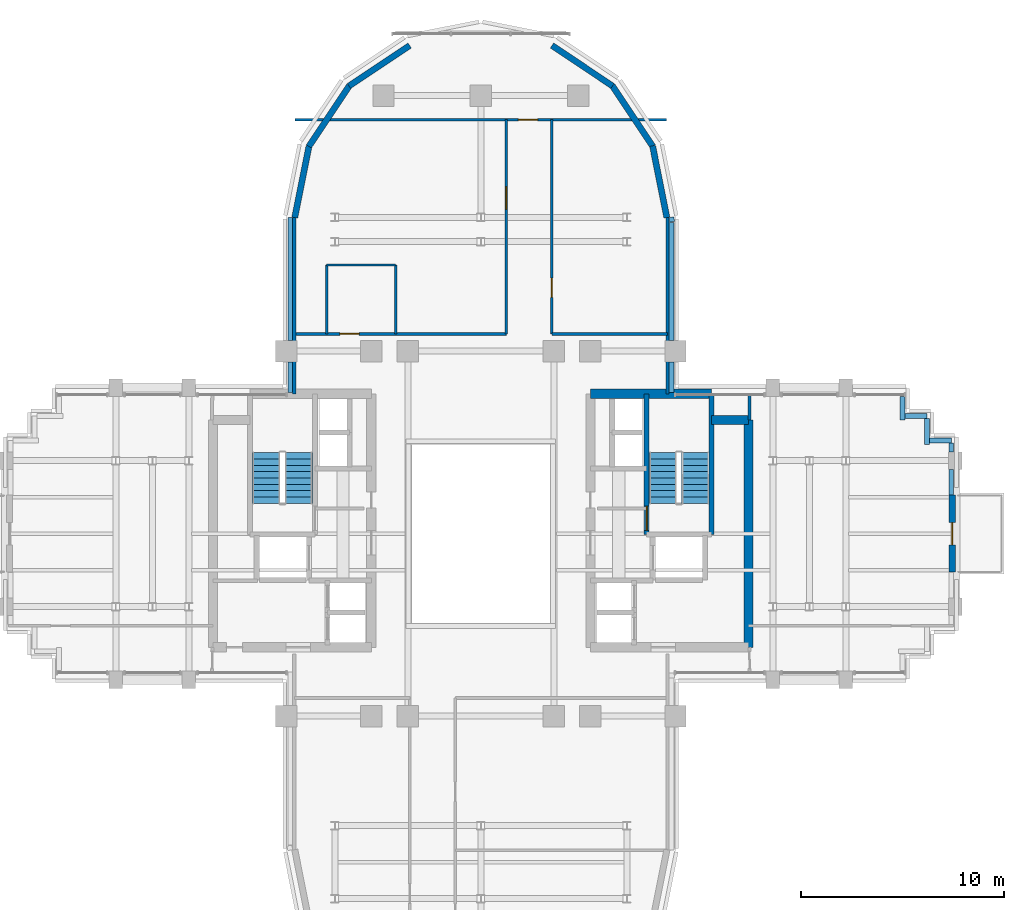
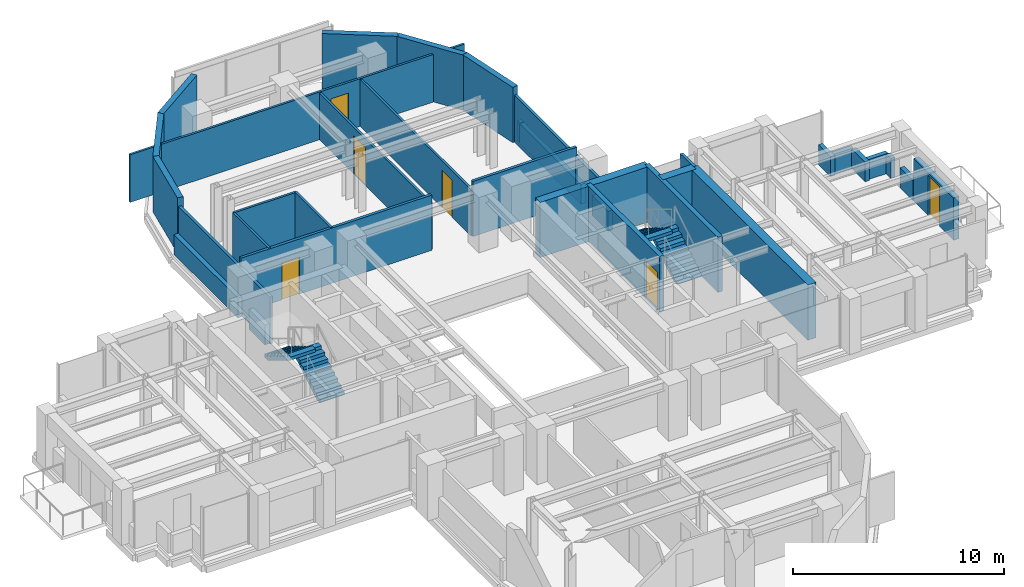
# One storey, part 10 of 13: 34 walls, 6 doors, 4 stair flights, 6 openings, 2 elements without a shape of their own.
"""IFC4 building model written with IfcOpenShell, lengths in metres."""

from ifc_helpers import new_model, si_unit, direction, frame, frame_2d, origin, place, context, subcontext, project, spatial, polyline, rectangle, outline, extrude, source, transform, mapped, material, layer, layer_set, type_object, element, fill, aggregate, save


model = new_model("IFC4")

# Units and contexts
model_context = context("Model", 3, precision=1e-05, world=origin(), true_north=direction((0.0, 1.0)))
body_context = subcontext(model_context, "Body", "Model", "MODEL_VIEW")
ifc_project = project(units=[si_unit("LENGTHUNIT", "METRE"), si_unit("AREAUNIT", "SQUARE_METRE"), si_unit("VOLUMEUNIT", "CUBIC_METRE"), si_unit("PLANEANGLEUNIT", "RADIAN"), si_unit("MASSUNIT", "GRAM", prefix="KILO")], contexts=[model_context])

# Site, building, storey
site_placement = place(None, origin())
site = spatial("IfcSite", under=ifc_project, at=site_placement, CompositionType="ELEMENT")
building_placement = place(site_placement, origin())
building = spatial("IfcBuilding", under=site, at=building_placement, Name="Keilestroom Media Tower", CompositionType="ELEMENT")
storey_placement = place(building_placement, frame((0.0, 0.0, 104.0)))
storey = spatial("IfcBuildingStorey", under=building, at=storey_placement, Name="L27", CompositionType="ELEMENT", Elevation=104.0)

# Walls
ifc_material_1 = material(Name="Precast concrete C40/50", Category="concrete")
ifc_layer_1 = layer(ifc_material_1, 0.300048828125)
ifc_layer_set_1 = layer_set([ifc_layer_1], Name="Precast concrete C40/50")
wall_type_1 = type_object("IfcWallType", Name="Exterior-Masonry-Spandrel-Wall-300", PredefinedType="SOLIDWALL", material=ifc_layer_set_1)
for number, where, z_axis, x_axis, name in (
    (1, (9.1748046875, 15.585205078125, 0.0), (0.0, 0.0, 1.0), (-0.195114232679, 0.980780523974, 0.0), "L27 Lobe Facet Precast Frame Wall 01"),
    (2, (8.48193359375, 19.097412109375, 0.0), (0.0, 0.0, 1.0), (-0.555574187116, 0.831466970246, 0.0), "L27 Lobe Facet Precast Frame Wall 02"),
):
    element("IfcWall", number, at=place(storey_placement, frame(where, z_axis=z_axis, x_axis=x_axis)), inside=storey, type_object=wall_type_1, Name=name, PredefinedType="SOLIDWALL", context=body_context, shape_type="SweptSolid", body=[
        extrude(rectangle(XDim=3.608642578125, YDim=0.300048828125, at=frame_2d((1.80419921875, 0.0))), origin(), (0.0, 0.0, 1.0), 3.199951171875),
    ])
for number, where, z_axis, x_axis, name in (
    (3, (6.497802734375, 22.0771484375, 0.0), (0.0, 0.0, 1.0), (-0.8314749531, 0.555562239868, 0.0), "L27 Lobe Facet Precast Frame Wall 03"),
    (4, (-3.510009765625, 24.073486328125, 0.0), (0.0, 0.0, 1.0), (-0.8314749531, -0.555562239868, 0.0), "L27 Lobe Facet Precast Frame Wall 04"),
):
    element("IfcWall", number, at=place(storey_placement, frame(where, z_axis=z_axis, x_axis=x_axis)), inside=storey, type_object=wall_type_1, Name=name, PredefinedType="SOLIDWALL", context=body_context, shape_type="SweptSolid", body=[
        extrude(rectangle(XDim=3.59326171875, YDim=0.300048828125, at=frame_2d((1.796630859375, 0.0))), origin(), (0.0, 0.0, 1.0), 3.199951171875),
    ])
for number, where, z_axis, x_axis, name in (
    (5, (-6.47705078125, 22.097900390625, 0.0), (0.0, 0.0, 1.0), (-0.555574187116, -0.831466970246, 0.0), "L27 Lobe Facet Precast Frame Wall 05"),
    (6, (-8.470703125, 19.12451171875, 0.0), (0.0, 0.0, 1.0), (-0.195114232679, -0.980780523974, 0.0), "L27 Lobe Facet Precast Frame Wall 06"),
):
    element("IfcWall", number, at=place(storey_placement, frame(where, z_axis=z_axis, x_axis=x_axis)), inside=storey, type_object=wall_type_1, Name=name, PredefinedType="SOLIDWALL", context=body_context, shape_type="SweptSolid", body=[
        extrude(rectangle(XDim=3.608642578125, YDim=0.300048828125, at=frame_2d((1.80419921875, 0.0))), origin(), (0.0, 0.0, 1.0), 3.199951171875),
    ])

# Wall, opening, door
wall_1_placement = place(storey_placement, frame((23.25, -1.89990234375, 0.0), z_axis=(0.0, 0.0, 1.0), x_axis=(0.0, 1.0, 0.0)))
wall_1 = element("IfcWall", 7, at=wall_1_placement, inside=storey, type_object=wall_type_1, Name="L27 Terrace Threshold Wall L27-E", PredefinedType="SOLIDWALL", context=body_context, shape_type="SweptSolid", body=[
    extrude(rectangle(XDim=3.7998046875, YDim=0.300048828125, at=frame_2d((1.89990234375, 0.0))), origin(), (0.0, 0.0, 1.0), 2.449951171875),
])
opening_1_placement = place(wall_1_placement, frame((1.35009765625, 0.0, 0.0)))
opening_1 = element("IfcOpeningElement", 8, at=opening_1_placement, cuts=wall_1, Name="Opening DE-02", PredefinedType="OPENING", context=body_context, shape_type="SweptSolid", body=[
    extrude(rectangle(XDim=1.10009765625, YDim=2.300048828125, at=frame_2d((0.550048828125, 1.14990234375))), frame((0.0, 0.16015625, 0.0), z_axis=(0.0, -1.0, 0.0), x_axis=(1.0, 0.0, 0.0)), (0.0, 0.0, 1.0), 0.320068359375),
])
ifc_material_2 = material(Name="Thermally Broken Aluminium & Laminated Glass", Category="aluminium")
door_type_1 = type_object("IfcDoorType", Name="Exterior-Entrance-And-Terrace-Door-DE-02", OperationType="NOTDEFINED", PredefinedType="DOOR", material=ifc_material_2)
shared_shape_1 = source(origin(), body_context, "Body", "SweptSolid", [
    extrude(rectangle(XDim=1.10009765625, YDim=2.300048828125, at=frame_2d((0.550048828125, 1.14990234375))), frame((0.0, 0.02490234375, 0.0), z_axis=(0.0, -1.0, 0.0), x_axis=(1.0, 0.0, 0.0)), (0.0, 0.0, 1.0), 0.050048828125),
])
door_1_placement = place(opening_1_placement, frame((1.10009765625, 0.0, 0.0), z_axis=(0.0, 0.0, 1.0), x_axis=(-1.0, 0.0, 0.0)))
door_1 = element("IfcDoor", 9, at=door_1_placement, inside=storey, type_object=door_type_1, Name="L27 Terrace Access Door DE-02 L27-E", OperationType="SINGLE_SWING_RIGHT", OverallHeight=2.300048828125, OverallWidth=1.10009765625, PredefinedType="DOOR", context=body_context, shape_type="MappedRepresentation", body=[
    mapped(shared_shape_1, transform((0.0, 0.0, 0.0), x_axis=(1.0, 0.0, 0.0), y_axis=(0.0, 1.0, 0.0), z_axis=(0.0, 0.0, 1.0), scale=1.0)),
])
fill(opening_1, door_1)

ifc_material_3 = material(Name="Gypsum Plasterboard & Steel Stud", Category="steel")
ifc_layer_2 = layer(ifc_material_3, 0.1201171875)
ifc_layer_set_2 = layer_set([ifc_layer_2], Name="Gypsum Plasterboard & Steel Stud")
wall_type_2 = type_object("IfcWallType", Name="Interior-Partition-Wall-120", PredefinedType="PARTITIONING", material=ifc_layer_set_2)
wall_2_placement = place(storey_placement, frame((1.260009765625, 9.85009765625, 0.0), z_axis=(0.0, 0.0, 1.0), x_axis=(0.0, 1.0, 0.0)))
wall_2 = element("IfcWall", 10, at=wall_2_placement, inside=storey, type_object=wall_type_2, Name="L27 Interior Wall WP-L27-NL-SPW", PredefinedType="PARTITIONING", context=body_context, shape_type="SweptSolid", body=[
    extrude(rectangle(XDim=10.56982421875, YDim=0.1201171875, at=frame_2d((5.284912109375, 0.0))), origin(), (0.0, 0.0, 1.0), 2.699951171875),
])
opening_2_placement = place(wall_2_placement, frame((6.14990234375, 0.0, 0.0)))
opening_2 = element("IfcOpeningElement", 11, at=opening_2_placement, cuts=wall_2, Name="Opening DI-04", PredefinedType="OPENING", context=body_context, shape_type="SweptSolid", body=[
    extrude(rectangle(XDim=1.10009765625, YDim=2.199951171875, at=frame_2d((0.550048828125, 1.10009765625))), frame((0.0, 0.070068359375, 0.0), z_axis=(0.0, -1.0, 0.0), x_axis=(1.0, 0.0, 0.0)), (0.0, 0.0, 1.0), 0.14013671875),
])
ifc_material_4 = material(Name="Acoustic Glazed Aluminium Leaf", Category="aluminium")
door_type_2 = type_object("IfcDoorType", Name="Interior-Room-And-Suite-Door-DI-04", OperationType="NOTDEFINED", PredefinedType="DOOR", material=ifc_material_4)
shared_shape_2 = source(origin(), body_context, "Body", "SweptSolid", [
    extrude(rectangle(XDim=1.10009765625, YDim=2.199951171875, at=frame_2d((0.550048828125, 1.10009765625))), frame((0.0, 0.02490234375, 0.0), z_axis=(0.0, -1.0, 0.0), x_axis=(1.0, 0.0, 0.0)), (0.0, 0.0, 1.0), 0.050048828125),
])
door_2_placement = place(opening_2_placement, origin())
door_2 = element("IfcDoor", 12, at=door_2_placement, inside=storey, type_object=door_type_2, Name="L27 Interior Door DI-L27-DNL-W1", OperationType="SINGLE_SWING_RIGHT", OverallHeight=2.199951171875, OverallWidth=1.10009765625, PredefinedType="DOOR", context=body_context, shape_type="MappedRepresentation", body=[
    mapped(shared_shape_2, transform((0.0, 0.0, 0.0), x_axis=(1.0, 0.0, 0.0), y_axis=(0.0, 1.0, 0.0), z_axis=(0.0, 0.0, 1.0), scale=1.0)),
])
fill(opening_2, door_2)

wall_3_placement = place(storey_placement, frame((3.5, 9.85009765625, 0.0), z_axis=(0.0, 0.0, 1.0), x_axis=(0.0, 1.0, 0.0)))
wall_3 = element("IfcWall", 13, at=wall_3_placement, inside=storey, type_object=wall_type_2, Name="L27 Interior Wall WP-L27-NL-SPE", PredefinedType="PARTITIONING", context=body_context, shape_type="SweptSolid", body=[
    extrude(rectangle(XDim=10.56982421875, YDim=0.1201171875, at=frame_2d((5.284912109375, 0.0))), origin(), (0.0, 0.0, 1.0), 2.699951171875),
])
opening_3_placement = place(wall_3_placement, frame((1.800048828125, 0.0, 0.0)))
opening_3 = element("IfcOpeningElement", 14, at=opening_3_placement, cuts=wall_3, Name="Opening DI-03", PredefinedType="OPENING", context=body_context, shape_type="SweptSolid", body=[
    extrude(rectangle(XDim=0.949951171875, YDim=2.14990234375, at=frame_2d((0.47509765625, 1.074951171875))), frame((0.0, 0.070068359375, 0.0), z_axis=(0.0, -1.0, 0.0), x_axis=(1.0, 0.0, 0.0)), (0.0, 0.0, 1.0), 0.14013671875),
])
ifc_material_5 = material(Name="Lacquered European Oak Leaf", Category="wood")
door_type_3 = type_object("IfcDoorType", Name="Interior-Room-And-Suite-Door-DI-03", OperationType="NOTDEFINED", PredefinedType="DOOR", material=ifc_material_5)
shared_shape_3 = source(origin(), body_context, "Body", "SweptSolid", [
    extrude(rectangle(XDim=0.949951171875, YDim=2.14990234375, at=frame_2d((0.47509765625, 1.074951171875))), frame((0.0, 0.02490234375, 0.0), z_axis=(0.0, -1.0, 0.0), x_axis=(1.0, 0.0, 0.0)), (0.0, 0.0, 1.0), 0.050048828125),
])
door_3_placement = place(opening_3_placement, origin())
door_3 = element("IfcDoor", 15, at=door_3_placement, inside=storey, type_object=door_type_3, Name="L27 Interior Door DI-L27-DNL-E1", OperationType="SINGLE_SWING_LEFT", OverallHeight=2.14990234375, OverallWidth=0.949951171875, PredefinedType="DOOR", context=body_context, shape_type="MappedRepresentation", body=[
    mapped(shared_shape_3, transform((0.0, 0.0, 0.0), x_axis=(1.0, 0.0, 0.0), y_axis=(0.0, 1.0, 0.0), z_axis=(0.0, 0.0, 1.0), scale=1.0)),
])
fill(opening_3, door_3)

wall_4_placement = place(storey_placement, frame((-9.159912109375, 20.419921875, 0.0), z_axis=(0.0, 0.0, 1.0), x_axis=(1.0, 0.0, 0.0)))
wall_4 = element("IfcWall", 16, at=wall_4_placement, inside=storey, type_object=wall_type_2, Name="L27 Interior Wall WP-L27-NL-NTIPW", PredefinedType="PARTITIONING", context=body_context, shape_type="SweptSolid", body=[
    extrude(rectangle(XDim=18.31982421875, YDim=0.1201171875, at=frame_2d((9.159912109375, 0.0))), origin(), (0.0, 0.0, 1.0), 2.760009765625),
])
opening_4_placement = place(wall_4_placement, frame((11.010009765625, 0.0, 0.0)))
opening_4 = element("IfcOpeningElement", 17, at=opening_4_placement, cuts=wall_4, Name="Opening DI-03", PredefinedType="OPENING", context=body_context, shape_type="SweptSolid", body=[
    extrude(rectangle(XDim=0.949951171875, YDim=2.14990234375, at=frame_2d((0.47509765625, 1.074951171875))), frame((0.0, 0.070068359375, 0.0), z_axis=(0.0, -1.0, 0.0), x_axis=(1.0, 0.0, 0.0)), (0.0, 0.0, 1.0), 0.14013671875),
])
door_4_placement = place(opening_4_placement, origin())
door_4 = element("IfcDoor", 18, at=door_4_placement, inside=storey, type_object=door_type_3, Name="L27 Interior Door DI-L27-DNL-TIP", OperationType="SINGLE_SWING_RIGHT", OverallHeight=2.14990234375, OverallWidth=0.949951171875, PredefinedType="DOOR", context=body_context, shape_type="MappedRepresentation", body=[
    mapped(shared_shape_3, transform((0.0, 0.0, 0.0), x_axis=(1.0, 0.0, 0.0), y_axis=(0.0, 1.0, 0.0), z_axis=(0.0, 0.0, 1.0), scale=1.0)),
])
fill(opening_4, door_4)

# Walls
wall_5_placement = place(storey_placement, frame((-7.60009765625, 13.25, 0.0), z_axis=(0.0, 0.0, 1.0), x_axis=(1.0, 0.0, 0.0)))
element("IfcWall", 19, at=wall_5_placement, inside=storey, type_object=wall_type_2, Name="L27 Interior Wall WP-L27-NL-WC-N", PredefinedType="PARTITIONING", context=body_context, shape_type="SweptSolid", body=[
    extrude(rectangle(XDim=3.400146484375, YDim=0.1201171875, at=frame_2d((1.7001953125, 0.0))), origin(), (0.0, 0.0, 1.0), 3.199951171875),
])
for number, where, z_axis, x_axis, name in (
    (20, (-7.60009765625, 9.85009765625, 0.0), (0.0, 0.0, 1.0), (0.0, 1.0, 0.0), "L27 Interior Wall WP-L27-NL-WC-W"),
    (21, (-4.199951171875, 9.85009765625, 0.0), (0.0, 0.0, 1.0), (0.0, 1.0, 0.0), "L27 Interior Wall WP-L27-NL-WC-E"),
):
    element("IfcWall", number, at=place(storey_placement, frame(where, z_axis=z_axis, x_axis=x_axis)), inside=storey, type_object=wall_type_2, Name=name, PredefinedType="PARTITIONING", context=body_context, shape_type="SweptSolid", body=[
        extrude(rectangle(XDim=3.39990234375, YDim=0.1201171875, at=frame_2d((1.699951171875, 0.0))), origin(), (0.0, 0.0, 1.0), 3.199951171875),
    ])
ifc_layer_3 = layer(ifc_material_3, 0.14990234375)
ifc_layer_set_3 = layer_set([ifc_layer_3], Name="Gypsum Plasterboard & Steel Stud")
wall_type_3 = type_object("IfcWallType", Name="Interior-Partition-Wall-150", PredefinedType="PARTITIONING", material=ifc_layer_set_3)
for number, where, z_axis, x_axis, name in (
    (22, (-9.199951171875, 6.89990234375, 0.0), (0.0, 0.0, 1.0), (0.0, 1.0, 0.0), "L27 Interior Wall WP-L27-NL-CHKW"),
    (23, (9.199951171875, 6.89990234375, 0.0), (0.0, 0.0, 1.0), (0.0, 1.0, 0.0), "L27 Interior Wall WP-L27-NL-CHKE"),
):
    element("IfcWall", number, at=place(storey_placement, frame(where, z_axis=z_axis, x_axis=x_axis)), inside=storey, type_object=wall_type_3, Name=name, PredefinedType="PARTITIONING", context=body_context, shape_type="SweptSolid", body=[
        extrude(rectangle(XDim=8.780029296875, YDim=0.14990234375, at=frame_2d((4.39013671875, 0.0))), origin(), (0.0, 0.0, 1.0), 2.699951171875),
    ])

# Wall, opening, door
wall_6_placement = place(storey_placement, frame((-9.199951171875, 9.85009765625, 0.0), z_axis=(0.0, 0.0, 1.0), x_axis=(1.0, 0.0, 0.0)))
wall_6 = element("IfcWall", 24, at=wall_6_placement, inside=storey, type_object=wall_type_3, Name="L27 Interior Wall WP-L27-NL-BASE-W", PredefinedType="PARTITIONING", context=body_context, shape_type="SweptSolid", body=[
    extrude(rectangle(XDim=10.4599609375, YDim=0.14990234375, at=frame_2d((5.22998046875, 0.0))), origin(), (0.0, 0.0, 1.0), 3.199951171875),
])
opening_5_placement = place(wall_6_placement, frame((2.25, 0.0, 0.0)))
opening_5 = element("IfcOpeningElement", 25, at=opening_5_placement, cuts=wall_6, Name="Opening DI-03", PredefinedType="OPENING", context=body_context, shape_type="SweptSolid", body=[
    extrude(rectangle(XDim=0.949951171875, YDim=2.14990234375, at=frame_2d((0.47509765625, 1.074951171875))), frame((0.0, 0.0849609375, 0.0), z_axis=(0.0, -1.0, 0.0), x_axis=(1.0, 0.0, 0.0)), (0.0, 0.0, 1.0), 0.169921875),
])
door_5_placement = place(opening_5_placement, origin())
door_5 = element("IfcDoor", 26, at=door_5_placement, inside=storey, type_object=door_type_3, Name="L27 Interior Door DI-L27-DNL-WC", OperationType="SINGLE_SWING_LEFT", OverallHeight=2.14990234375, OverallWidth=0.949951171875, PredefinedType="DOOR", context=body_context, shape_type="MappedRepresentation", body=[
    mapped(shared_shape_3, transform((0.0, 0.0, 0.0), x_axis=(1.0, 0.0, 0.0), y_axis=(0.0, 1.0, 0.0), z_axis=(0.0, 0.0, 1.0), scale=1.0)),
])
fill(opening_5, door_5)

# Walls
wall_7_placement = place(storey_placement, frame((3.5, 9.85009765625, 0.0), z_axis=(0.0, 0.0, 1.0), x_axis=(1.0, 0.0, 0.0)))
element("IfcWall", 27, at=wall_7_placement, inside=storey, type_object=wall_type_3, Name="L27 Interior Wall WP-L27-NL-BASE-E", PredefinedType="PARTITIONING", context=body_context, shape_type="SweptSolid", body=[
    extrude(rectangle(XDim=5.699951171875, YDim=0.14990234375, at=frame_2d((2.85009765625, 0.0))), origin(), (0.0, 0.0, 1.0), 3.199951171875),
])
wall_8_placement = place(storey_placement, frame((13.260009765625, 5.60009765625, 0.0), z_axis=(0.0, 0.0, 1.0), x_axis=(-0.016013571389, 0.999871774545, 0.0)))
element("IfcWall", 28, at=wall_8_placement, inside=storey, type_object=wall_type_3, Name="L27 Interior Wall WP-L27-EA-ENTN", PredefinedType="PARTITIONING", context=body_context, shape_type="SweptSolid", body=[
    extrude(rectangle(XDim=1.250244140625, YDim=0.14990234375, at=frame_2d((0.625, 0.0))), origin(), (0.0, 0.0, 1.0), 3.199951171875),
])
ifc_material_6 = material(Name="Concrete C55/67", Category="concrete")
ifc_layer_4 = layer(ifc_material_6, 0.449951171875)
ifc_layer_set_4 = layer_set([ifc_layer_4], Name="Concrete C55/67")
wall_type_4 = type_object("IfcWallType", Name="Reinforced-Concrete-Core-Shear-Wall-450", PredefinedType="SHEAR", material=ifc_layer_set_4)
wall_9_placement = place(storey_placement, frame((13.199951171875, -5.60009765625, 0.0), z_axis=(0.0, 0.0, 1.0), x_axis=(0.0, 1.0, 0.0)))
element("IfcWall", 29, at=wall_9_placement, inside=storey, type_object=wall_type_4, Name="L27 Core Shear Wall WL-L27-CORE-E-OUT", PredefinedType="SHEAR", context=body_context, shape_type="SweptSolid", body=[
    extrude(rectangle(XDim=11.2001953125, YDim=0.449951171875, at=frame_2d((5.60009765625, 0.0))), origin(), (0.0, 0.0, 1.0), 3.199951171875),
])
wall_10_placement = place(storey_placement, frame((5.39990234375, 6.89990234375, 0.0), z_axis=(0.0, 0.0, 1.0), x_axis=(1.0, 0.0, 0.0)))
element("IfcWall", 30, at=wall_10_placement, inside=storey, type_object=wall_type_4, Name="L27 Core Shear Wall WL-L27-CORE-E-N", PredefinedType="SHEAR", context=body_context, shape_type="SweptSolid", body=[
    extrude(rectangle(XDim=5.981201171875, YDim=0.449951171875, at=frame_2d((2.99072265625, 0.0))), origin(), (0.0, 0.0, 1.0), 3.199951171875),
])
wall_11_placement = place(storey_placement, frame((11.381103515625, 5.60009765625, 0.0), z_axis=(0.0, 0.0, 1.0), x_axis=(1.0, 0.0, 0.0)))
element("IfcWall", 31, at=wall_11_placement, inside=storey, type_object=wall_type_4, Name="L27 Core Shear Wall WL-L27-CNE-N", PredefinedType="SHEAR", context=body_context, shape_type="SweptSolid", body=[
    extrude(rectangle(XDim=1.81884765625, YDim=0.449951171875, at=frame_2d((0.909423828125, 0.0))), origin(), (0.0, 0.0, 1.0), 3.199951171875),
])

# Wall, opening, door
ifc_material_7 = material(Name="Concrete C50/60", Category="concrete")
ifc_layer_5 = layer(ifc_material_7, 0.25)
ifc_layer_set_5 = layer_set([ifc_layer_5], Name="Concrete C50/60")
wall_type_5 = type_object("IfcWallType", Name="Reinforced-Concrete-Shaft-Wall-250", PredefinedType="SOLIDWALL", material=ifc_layer_set_5)
wall_12_placement = place(storey_placement, frame((8.178955078125, -0.041015625, 0.0), z_axis=(0.0, 0.0, 1.0), x_axis=(0.0, 1.0, 0.0)))
wall_12 = element("IfcWall", 32, at=wall_12_placement, inside=storey, type_object=wall_type_5, Name="L27 Core Shear Wall WL-L27-STW-E-NEAR", PredefinedType="SOLIDWALL", context=body_context, shape_type="SweptSolid", body=[
    extrude(rectangle(XDim=6.94091796875, YDim=0.25, at=frame_2d((3.470458984375, 0.0))), origin(), (0.0, 0.0, 1.0), 3.199951171875),
])
opening_6_placement = place(wall_12_placement, frame((0.199951171875, 0.0, 0.0)))
opening_6 = element("IfcOpeningElement", 33, at=opening_6_placement, cuts=wall_12, Name="Opening DI-01S", PredefinedType="OPENING", context=body_context, shape_type="SweptSolid", body=[
    extrude(rectangle(XDim=1.199951171875, YDim=2.199951171875, at=frame_2d((0.60009765625, 1.10009765625))), frame((0.0, 0.135009765625, 0.0), z_axis=(0.0, -1.0, 0.0), x_axis=(1.0, 0.0, 0.0)), (0.0, 0.0, 1.0), 0.27001953125),
])
ifc_material_8 = material(Name="Powder-Coated Steel Fire Leaf", Category="steel")
door_type_4 = type_object("IfcDoorType", Name="Interior-Stair-And-Core-Fire-Door-DI-01", OperationType="NOTDEFINED", PredefinedType="DOOR", material=ifc_material_8)
shared_shape_4 = source(origin(), body_context, "Body", "SweptSolid", [
    extrude(rectangle(XDim=1.199951171875, YDim=2.199951171875, at=frame_2d((0.60009765625, 1.10009765625))), frame((0.0, 0.02490234375, 0.0), z_axis=(0.0, -1.0, 0.0), x_axis=(1.0, 0.0, 0.0)), (0.0, 0.0, 1.0), 0.050048828125),
])
door_6_placement = place(opening_6_placement, origin())
door_6 = element("IfcDoor", 34, at=door_6_placement, inside=storey, type_object=door_type_4, Name="L27 Escape Stair ST-2 Fire Door", OperationType="SINGLE_SWING_RIGHT", OverallHeight=2.199951171875, OverallWidth=1.199951171875, PredefinedType="DOOR", context=body_context, shape_type="MappedRepresentation", body=[
    mapped(shared_shape_4, transform((0.0, 0.0, 0.0), x_axis=(1.0, 0.0, 0.0), y_axis=(0.0, 1.0, 0.0), z_axis=(0.0, 0.0, 1.0), scale=1.0)),
])
fill(opening_6, door_6)

# Walls
wall_13_placement = place(storey_placement, frame((11.381103515625, -0.041015625, 0.0), z_axis=(0.0, 0.0, 1.0), x_axis=(0.0, 1.0, 0.0)))
element("IfcWall", 35, at=wall_13_placement, inside=storey, type_object=wall_type_5, Name="L27 Core Shear Wall WL-L27-STW-E-FAR", PredefinedType="SOLIDWALL", context=body_context, shape_type="SweptSolid", body=[
    extrude(rectangle(XDim=6.94091796875, YDim=0.25, at=frame_2d((3.470458984375, 0.0))), origin(), (0.0, 0.0, 1.0), 3.199951171875),
])
ifc_layer_6 = layer(ifc_material_1, 0.239990234375)
ifc_layer_set_6 = layer_set([ifc_layer_6], Name="Precast concrete C40/50")
wall_type_6 = type_object("IfcWallType", Name="Roof-And-Terrace-Parapet-Wall-240", PredefinedType="PARAPET", material=ifc_layer_set_6)
wall_14_placement = place(storey_placement, frame((-9.39990234375, 6.952880859375, 0.0), z_axis=(0.0, 0.0, 1.0), x_axis=(0.0, 1.0, 0.0)))
element("IfcWall", 36, at=wall_14_placement, inside=storey, type_object=wall_type_6, Name="L27 Perimeter Edge Parapet Wall 21", PredefinedType="PARAPET", context=body_context, shape_type="SweptSolid", body=[
    extrude(rectangle(XDim=1.51904296875, YDim=0.239990234375, at=frame_2d((0.759521484375, 0.0))), origin(), (0.0, 0.0, 1.0), 1.14990234375),
])
wall_15_placement = place(storey_placement, frame((-9.39990234375, 9.528076171875, 0.0), z_axis=(0.0, 0.0, 1.0), x_axis=(0.0, 1.0, 0.0)))
element("IfcWall", 37, at=wall_15_placement, inside=storey, type_object=wall_type_6, Name="L27 Perimeter Edge Parapet Wall 22", PredefinedType="PARAPET", context=body_context, shape_type="SweptSolid", body=[
    extrude(rectangle(XDim=6.07470703125, YDim=0.239990234375, at=frame_2d((3.037353515625, 0.0))), origin(), (0.0, 0.0, 1.0), 1.14990234375),
])
wall_16_placement = place(storey_placement, frame((9.395263671875, 15.604248046875, 0.0), z_axis=(0.0, 0.0, 1.0), x_axis=(0.194652052864, -0.980872355771, 0.0)))
element("IfcWall", 38, at=wall_16_placement, inside=storey, type_object=wall_type_6, Name="L27 Perimeter Edge Parapet Wall 23", PredefinedType="PARAPET", context=body_context, shape_type="SweptSolid", body=[
    extrude(rectangle(XDim=0.224609375, YDim=0.239990234375, at=frame_2d((0.1123046875, 0.0))), origin(), (0.0, 0.0, 1.0), 1.14990234375),
])
wall_17_placement = place(storey_placement, frame((9.39990234375, 15.357666015625, 0.0), z_axis=(0.0, 0.0, 1.0), x_axis=(0.0, -1.0, 0.0)))
element("IfcWall", 39, at=wall_17_placement, inside=storey, type_object=wall_type_6, Name="L27 Perimeter Edge Parapet Wall 24", PredefinedType="PARAPET", context=body_context, shape_type="SweptSolid", body=[
    extrude(rectangle(XDim=5.82958984375, YDim=0.239990234375, at=frame_2d((2.914794921875, 0.0))), origin(), (0.0, 0.0, 1.0), 1.14990234375),
])
wall_18_placement = place(storey_placement, frame((9.39990234375, 8.471923828125, 0.0), z_axis=(0.0, 0.0, 1.0), x_axis=(0.0, -1.0, 0.0)))
element("IfcWall", 40, at=wall_18_placement, inside=storey, type_object=wall_type_6, Name="L27 Perimeter Edge Parapet Wall 25", PredefinedType="PARAPET", context=body_context, shape_type="SweptSolid", body=[
    extrude(rectangle(XDim=1.51904296875, YDim=0.239990234375, at=frame_2d((0.759521484375, 0.0))), origin(), (0.0, 0.0, 1.0), 1.14990234375),
])
wall_19_placement = place(storey_placement, frame((20.800048828125, 6.757080078125, 0.0), z_axis=(0.0, 0.0, 1.0), x_axis=(0.0, -1.0, 0.0)))
element("IfcWall", 41, at=wall_19_placement, inside=storey, type_object=wall_type_6, Name="L27 Perimeter Edge Parapet Wall 26", PredefinedType="PARAPET", context=body_context, shape_type="SweptSolid", body=[
    extrude(rectangle(XDim=1.156982421875, YDim=0.239990234375, at=frame_2d((0.57861328125, 0.0))), origin(), (0.0, 0.0, 1.0), 1.14990234375),
])
wall_20_placement = place(storey_placement, frame((20.923095703125, 5.800048828125, 0.0), z_axis=(0.0, 0.0, 1.0), x_axis=(1.0, 0.0, 0.0)))
element("IfcWall", 42, at=wall_20_placement, inside=storey, type_object=wall_type_6, Name="L27 Perimeter Edge Parapet Wall 27", PredefinedType="PARAPET", context=body_context, shape_type="SweptSolid", body=[
    extrude(rectangle(XDim=1.076904296875, YDim=0.239990234375, at=frame_2d((0.53857421875, 0.0))), origin(), (0.0, 0.0, 1.0), 1.14990234375),
])
wall_21_placement = place(storey_placement, frame((22.0, 5.677001953125, 0.0), z_axis=(0.0, 0.0, 1.0), x_axis=(0.0, -1.0, 0.0)))
element("IfcWall", 43, at=wall_21_placement, inside=storey, type_object=wall_type_6, Name="L27 Perimeter Edge Parapet Wall 28", PredefinedType="PARAPET", context=body_context, shape_type="SweptSolid", body=[
    extrude(rectangle(XDim=1.277099609375, YDim=0.239990234375, at=frame_2d((0.638671875, 0.0))), origin(), (0.0, 0.0, 1.0), 1.14990234375),
])
wall_22_placement = place(storey_placement, frame((22.123046875, 4.60009765625, 0.0), z_axis=(0.0, 0.0, 1.0), x_axis=(1.0, 0.0, 0.0)))
element("IfcWall", 44, at=wall_22_placement, inside=storey, type_object=wall_type_6, Name="L27 Perimeter Edge Parapet Wall 29", PredefinedType="PARAPET", context=body_context, shape_type="SweptSolid", body=[
    extrude(rectangle(XDim=1.076904296875, YDim=0.239990234375, at=frame_2d((0.53857421875, 0.0))), origin(), (0.0, 0.0, 1.0), 1.14990234375),
])
wall_23_placement = place(storey_placement, frame((23.199951171875, 4.47705078125, 0.0), z_axis=(0.0, 0.0, 1.0), x_axis=(0.0, -1.0, 0.0)))
element("IfcWall", 45, at=wall_23_placement, inside=storey, type_object=wall_type_6, Name="L27 Perimeter Edge Parapet Wall 30", PredefinedType="PARAPET", context=body_context, shape_type="SweptSolid", body=[
    extrude(rectangle(XDim=0.448974609375, YDim=0.239990234375, at=frame_2d((0.224609375, 0.0))), origin(), (0.0, 0.0, 1.0), 1.14990234375),
])
wall_24_placement = place(storey_placement, frame((23.199951171875, 3.172119140625, 0.0), z_axis=(0.0, 0.0, 1.0), x_axis=(0.0, -1.0, 0.0)))
element("IfcWall", 46, at=wall_24_placement, inside=storey, type_object=wall_type_6, Name="L27 Perimeter Edge Parapet Wall 31", PredefinedType="PARAPET", context=body_context, shape_type="SweptSolid", body=[
    extrude(rectangle(XDim=1.26904296875, YDim=0.239990234375, at=frame_2d((0.634521484375, 0.0))), origin(), (0.0, 0.0, 1.0), 1.14990234375),
])

# Stair, stair flights
ifc_material_9 = material(Name="Concrete C45/55", Category="concrete")
stair_type = type_object("IfcStairType", Name="Enclosed-Dog-Leg-Stair-ST-CORE", PredefinedType="HALF_TURN_STAIR", material=ifc_material_9)
stair_1_placement = place(storey_placement, origin())
stair_1 = element("IfcStair", 47, at=stair_1_placement, inside=storey, type_object=stair_type, Name="L27 West Core Escape Stair ST-1", PredefinedType="HALF_TURN_STAIR")
stair_flight_type = type_object("IfcStairFlightType", Name="Precast-Concrete-Stair-Flight-Core-160", PredefinedType="STRAIGHT", material=ifc_material_1)
stair_flight_1_placement = place(storey_placement, frame((-8.97998046875, 1.5, 0.0), z_axis=(0.0, 0.0, 1.0), x_axis=(0.0, 1.0, 0.0)))
stair_flight_1 = element("IfcStairFlight", 48, at=stair_flight_1_placement, type_object=stair_flight_type, Name="ST-1 flight 1", NumberOfRisers=9, NumberOfTreads=8, PredefinedType="STRAIGHT", RiserHeight=0.188888889, TreadLength=0.312, context=body_context, shape_type="SweptSolid", body=[
    extrude(outline(polyline([(0.0, 0.0), (0.0, 0.18896484375), (0.31201171875, 0.18896484375), (0.31201171875, 0.377685546875), (0.6240234375, 0.377685546875), (0.6240234375, 0.566650390625), (0.93603515625, 0.566650390625), (0.93603515625, 0.755615234375), (1.248046875, 0.755615234375), (1.248046875, 0.9443359375), (1.56005859375, 0.9443359375), (1.56005859375, 1.13330078125), (1.8720703125, 1.13330078125), (1.8720703125, 1.322265625), (2.18408203125, 1.322265625), (2.18408203125, 1.51123046875), (2.49609375, 1.51123046875), (2.49609375, 1.699951171875), (2.49609375, 1.32421875), (0.308837890625, 0.0), (0.0, 0.0)])), frame((0.0, 0.68017578125, 0.0), z_axis=(0.0, -1.0, 0.0), x_axis=(1.0, 0.0, 0.0)), (0.0, 0.0, 1.0), 1.360107421875),
])
stair_flight_2_placement = place(storey_placement, frame((-10.580078125, 3.99609375, 1.699951171875), z_axis=(0.0, 0.0, 1.0), x_axis=(0.0, -1.0, 0.0)))
stair_flight_2 = element("IfcStairFlight", 49, at=stair_flight_2_placement, type_object=stair_flight_type, Name="ST-1 flight 2", NumberOfRisers=9, NumberOfTreads=8, PredefinedType="STRAIGHT", RiserHeight=0.188888889, TreadLength=0.312, context=body_context, shape_type="SweptSolid", body=[
    extrude(outline(polyline([(0.0, 0.0), (0.0, 0.18896484375), (0.31201171875, 0.18896484375), (0.31201171875, 0.377685546875), (0.6240234375, 0.377685546875), (0.6240234375, 0.566650390625), (0.93603515625, 0.566650390625), (0.93603515625, 0.755615234375), (1.248046875, 0.755615234375), (1.248046875, 0.9443359375), (1.56005859375, 0.9443359375), (1.56005859375, 1.13330078125), (1.8720703125, 1.13330078125), (1.8720703125, 1.322265625), (2.18408203125, 1.322265625), (2.18408203125, 1.51123046875), (2.49609375, 1.51123046875), (2.49609375, 1.699951171875), (2.49609375, 1.32421875), (0.308837890625, 0.0), (0.0, 0.0)])), frame((0.0, 0.68017578125, 0.0), z_axis=(0.0, -1.0, 0.0), x_axis=(1.0, 0.0, 0.0)), (0.0, 0.0, 1.0), 1.360107421875),
])
aggregate(stair_1, [stair_flight_1, stair_flight_2])

stair_2_placement = place(storey_placement, origin())
stair_2 = element("IfcStair", 50, at=stair_2_placement, inside=storey, type_object=stair_type, Name="L27 East Core Escape Stair ST-2", PredefinedType="HALF_TURN_STAIR")
stair_flight_3_placement = place(storey_placement, frame((10.580078125, 1.5, 0.0), z_axis=(0.0, 0.0, 1.0), x_axis=(0.0, 1.0, 0.0)))
stair_flight_3 = element("IfcStairFlight", 51, at=stair_flight_3_placement, type_object=stair_flight_type, Name="ST-2 flight 1", NumberOfRisers=9, NumberOfTreads=8, PredefinedType="STRAIGHT", RiserHeight=0.188888889, TreadLength=0.312, context=body_context, shape_type="SweptSolid", body=[
    extrude(outline(polyline([(0.0, 0.0), (0.0, 0.18896484375), (0.31201171875, 0.18896484375), (0.31201171875, 0.377685546875), (0.6240234375, 0.377685546875), (0.6240234375, 0.566650390625), (0.93603515625, 0.566650390625), (0.93603515625, 0.755615234375), (1.248046875, 0.755615234375), (1.248046875, 0.9443359375), (1.56005859375, 0.9443359375), (1.56005859375, 1.13330078125), (1.8720703125, 1.13330078125), (1.8720703125, 1.322265625), (2.18408203125, 1.322265625), (2.18408203125, 1.51123046875), (2.49609375, 1.51123046875), (2.49609375, 1.699951171875), (2.49609375, 1.32421875), (0.308837890625, 0.0), (0.0, 0.0)])), frame((0.0, 0.68017578125, 0.0), z_axis=(0.0, -1.0, 0.0), x_axis=(1.0, 0.0, 0.0)), (0.0, 0.0, 1.0), 1.360107421875),
])
stair_flight_4_placement = place(storey_placement, frame((8.97998046875, 3.99609375, 1.699951171875), z_axis=(0.0, 0.0, 1.0), x_axis=(0.0, -1.0, 0.0)))
stair_flight_4 = element("IfcStairFlight", 52, at=stair_flight_4_placement, type_object=stair_flight_type, Name="ST-2 flight 2", NumberOfRisers=9, NumberOfTreads=8, PredefinedType="STRAIGHT", RiserHeight=0.188888889, TreadLength=0.312, context=body_context, shape_type="SweptSolid", body=[
    extrude(outline(polyline([(0.0, 0.0), (0.0, 0.18896484375), (0.31201171875, 0.18896484375), (0.31201171875, 0.377685546875), (0.6240234375, 0.377685546875), (0.6240234375, 0.566650390625), (0.93603515625, 0.566650390625), (0.93603515625, 0.755615234375), (1.248046875, 0.755615234375), (1.248046875, 0.9443359375), (1.56005859375, 0.9443359375), (1.56005859375, 1.13330078125), (1.8720703125, 1.13330078125), (1.8720703125, 1.322265625), (2.18408203125, 1.322265625), (2.18408203125, 1.51123046875), (2.49609375, 1.51123046875), (2.49609375, 1.699951171875), (2.49609375, 1.32421875), (0.308837890625, 0.0), (0.0, 0.0)])), frame((0.0, 0.68017578125, 0.0), z_axis=(0.0, -1.0, 0.0), x_axis=(1.0, 0.0, 0.0)), (0.0, 0.0, 1.0), 1.360107421875),
])
aggregate(stair_2, [stair_flight_3, stair_flight_4])

save(model, "model.ifc")
